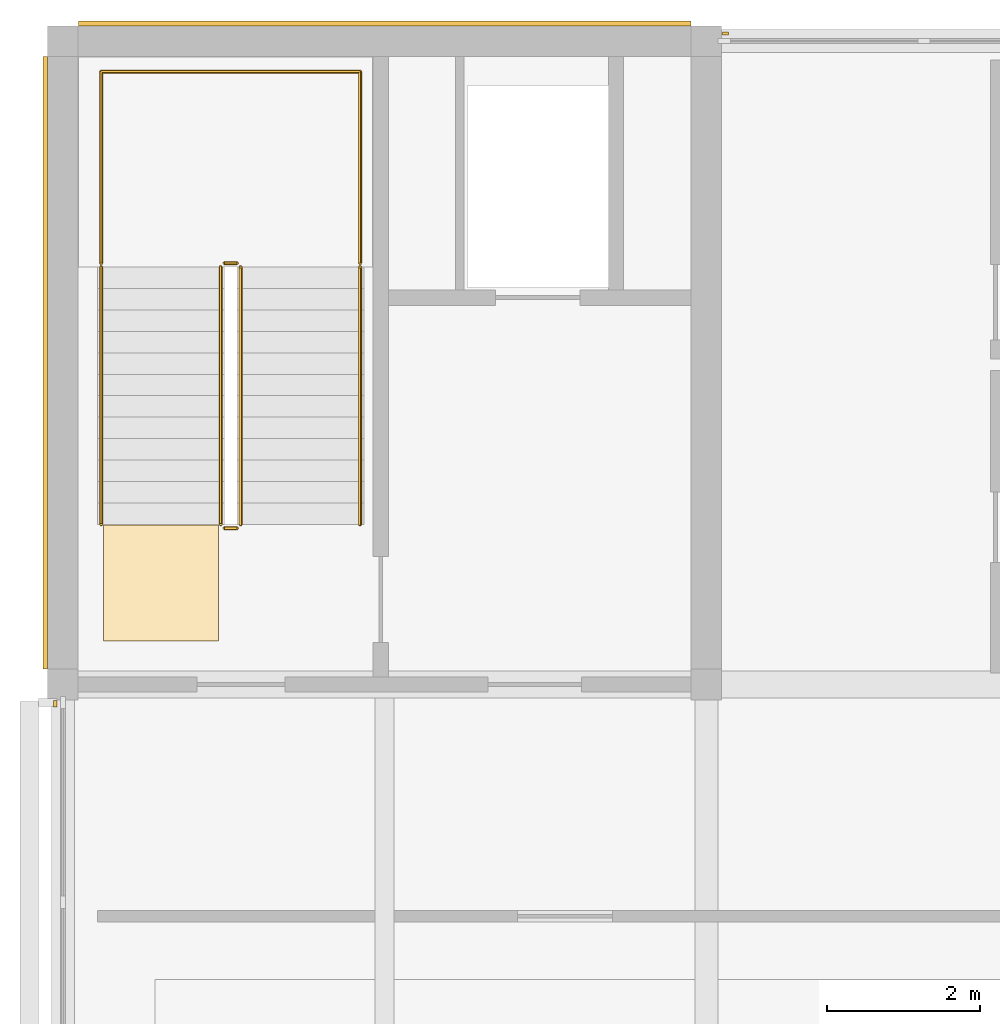
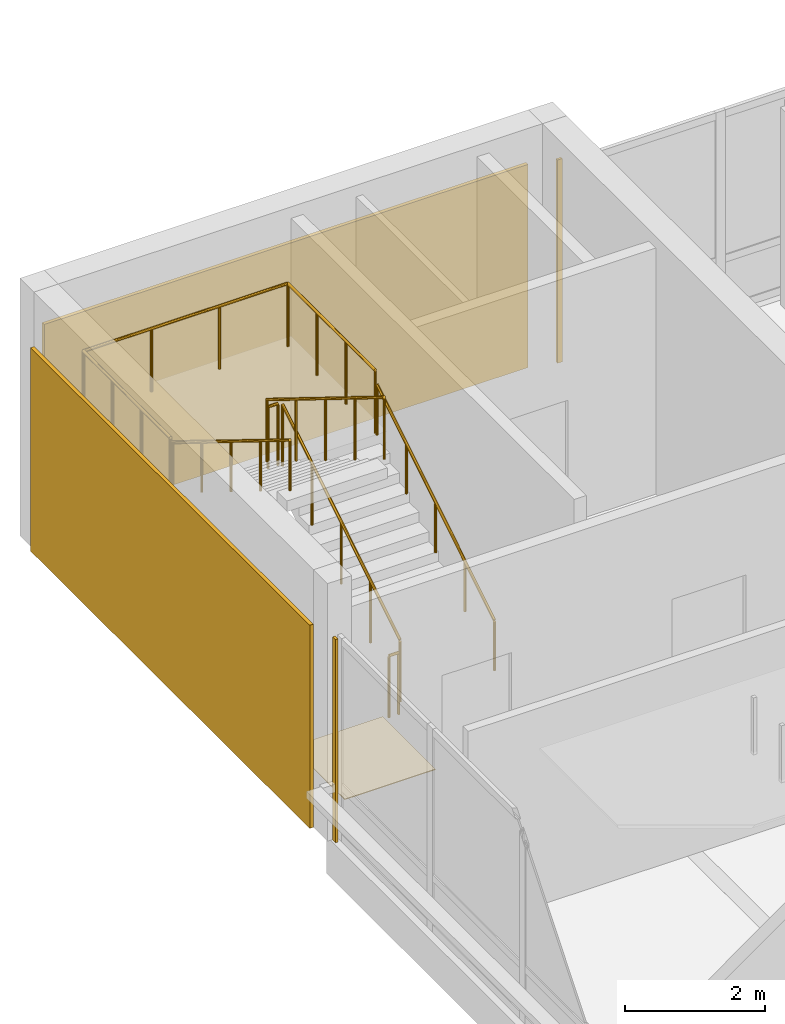
# One storey, part 17 of 20: 7 railings, 5 coverings.
"""IFC4 building model written with IfcOpenShell, lengths in metres."""

import ifcopenshell
import ifcopenshell.guid

model = None  # the IFC model being written
_history = None  # IfcOwnerHistory: only IFC2X3 demands one
_inside = {}  # id of a spatial element -> (the spatial element, [elements in it])
_under = {}  # id of a project, library or spatial element -> (it, [spatial elements below it])
_declared = {}  # id of a project -> (the project, [libraries it declares])
_typed = {}  # id of a type object -> (the type object, [elements of that type])
_made_of = {}  # id of a material, layer set ... -> (it, [elements and type objects made of it])


def new_model(schema):
    """Start an empty IFC model of exactly this schema.

    Asked for "IFC4X3", IfcOpenShell would pick the latest addendum, in which some entities
    have other attributes; the version numbers below select the first issue.
    IFC2X3 requires an IfcOwnerHistory on every rooted entity: one is made here for all.
    """
    global model, _history
    if schema == "IFC4X3":
        model = ifcopenshell.file(schema_version=(4, 3, 0, 0))
    else:
        model = ifcopenshell.file(schema=schema)
    _inside.clear()
    _under.clear()
    _declared.clear()
    _typed.clear()
    _made_of.clear()
    _history = None
    if model.schema == "IFC2X3":
        org = make("IfcOrganization", Name="unknown")
        user = make(
            "IfcPersonAndOrganization",
            ThePerson=make("IfcPerson", FamilyName="unknown"),
            TheOrganization=org,
        )
        app = make(
            "IfcApplication",
            ApplicationDeveloper=org,
            Version="unknown",
            ApplicationFullName="unknown",
            ApplicationIdentifier="unknown",
        )
        _history = make(
            "IfcOwnerHistory",
            OwningUser=user,
            OwningApplication=app,
            ChangeAction="ADDED",
            CreationDate=0,
        )
    return model


def make(cls, **values):
    """One entity of the class cls with the attributes given. An attribute that is None is left unset."""
    return model.create_entity(
        cls, **{name: value for name, value in values.items() if value is not None}
    )


def rooted(cls, **values):
    """An entity with a GlobalId (a new one), such as an element, a storey or a relation."""
    return make(cls, GlobalId=ifcopenshell.guid.new(), OwnerHistory=_history, **values)


def si_unit(unit_type, name, prefix=None):
    """IfcSIUnit, for example si_unit("LENGTHUNIT", "METRE", prefix="MILLI")."""
    return make("IfcSIUnit", UnitType=unit_type, Prefix=prefix, Name=name)


def assignment(units):
    """IfcUnitAssignment: the units of a project."""
    return None if units is None else make("IfcUnitAssignment", Units=units)


def point(xyz):
    """IfcCartesianPoint."""
    return None if xyz is None else make("IfcCartesianPoint", Coordinates=xyz)


def direction(xyz):
    """IfcDirection."""
    return None if xyz is None else make("IfcDirection", DirectionRatios=xyz)


def frame(location, z_axis=None, x_axis=None):
    """IfcAxis2Placement3D, a coordinate frame: its origin and axes. An axis left out is left unset."""
    return make(
        "IfcAxis2Placement3D",
        Location=point(location),
        Axis=direction(z_axis),
        RefDirection=direction(x_axis),
    )


def frame_2d(location, x_axis=None):
    """IfcAxis2Placement2D, a coordinate frame in the plane: its origin and x axis."""
    return make(
        "IfcAxis2Placement2D", Location=point(location), RefDirection=direction(x_axis)
    )


def origin():
    """The frame at (0, 0, 0) with its axes left unset."""
    return frame((0.0, 0.0, 0.0))


def origin_2d():
    """The frame at (0, 0) in the plane with its x axis left unset."""
    return frame_2d((0.0, 0.0))


def place(relative_to, where):
    """IfcLocalPlacement: puts the frame where relative to a parent placement (None: the world)."""
    return make(
        "IfcLocalPlacement", PlacementRelTo=relative_to, RelativePlacement=where
    )


def context(
    kind, dimensions, precision=None, world=None, true_north=None, identifier=None
):
    """IfcGeometricRepresentationContext, for example the 3D "Model" context."""
    return make(
        "IfcGeometricRepresentationContext",
        ContextIdentifier=identifier,
        ContextType=kind,
        CoordinateSpaceDimension=dimensions,
        Precision=precision,
        WorldCoordinateSystem=world,
        TrueNorth=true_north,
    )


def subcontext(parent, identifier, kind, view, scale=None):
    """IfcGeometricRepresentationSubContext, for example "Body" below "Model"."""
    return make(
        "IfcGeometricRepresentationSubContext",
        ContextIdentifier=identifier,
        ContextType=kind,
        ParentContext=parent,
        TargetScale=scale,
        TargetView=view,
    )


def project(units=None, contexts=None):
    """IfcProject with its units and contexts."""
    return rooted(
        "IfcProject",
        Name="project",
        RepresentationContexts=contexts,
        UnitsInContext=assignment(units),
    )


def spatial(cls, under=None, at=None, **own):
    """A site, building, storey or space (cls), placed at a placement, below another one or the project."""
    s = rooted(cls, ObjectPlacement=at, **own)
    if under is not None:
        _under.setdefault(under.id(), (under, []))[1].append(s)
    return s


def polyline(points):
    """IfcPolyline through the points."""
    return make("IfcPolyline", Points=[point(p) for p in points])


def profile(cls, at=None, kind="AREA", **sizes):
    """A parametric profile (cls). Its sizes go by their IFC names, for example OverallWidth=200.0."""
    return make(cls, ProfileType=kind, Position=at, **sizes)


def rectangle(**sizes):
    """IfcRectangleProfileDef."""
    return profile("IfcRectangleProfileDef", **sizes)


def circle(**sizes):
    """IfcCircleProfileDef."""
    return profile("IfcCircleProfileDef", **sizes)


def outline(outer, holes=None, kind="AREA"):
    """IfcArbitraryClosedProfileDef: a profile drawn as a closed curve; with holes, ...WithVoids."""
    if holes is None:
        return make("IfcArbitraryClosedProfileDef", ProfileType=kind, OuterCurve=outer)
    return make(
        "IfcArbitraryProfileDefWithVoids",
        ProfileType=kind,
        OuterCurve=outer,
        InnerCurves=holes,
    )


def extrude(swept, where, along, depth):
    """IfcExtrudedAreaSolid: the profile swept, set in the frame where, extruded along a direction by depth."""
    return make(
        "IfcExtrudedAreaSolid",
        SweptArea=swept,
        Position=where,
        ExtrudedDirection=direction(along),
        Depth=depth,
    )


def shape(context_of_items, identifier, shape_type, items):
    """IfcShapeRepresentation: the items that make up one representation, for example the "Body"."""
    return make(
        "IfcShapeRepresentation",
        ContextOfItems=context_of_items,
        RepresentationIdentifier=identifier,
        RepresentationType=shape_type,
        Items=items,
    )


def material(Name=None, Category=None):
    """IfcMaterial."""
    return make("IfcMaterial", Name=Name, Category=Category)


def layer(
    of_material, thickness, ventilated=None, Name=None, Category=None, Priority=None
):
    """IfcMaterialLayer: one layer of a wall or slab, of a material (None: an air gap)."""
    return make(
        "IfcMaterialLayer",
        Material=of_material,
        LayerThickness=thickness,
        IsVentilated=ventilated,
        Name=Name,
        Category=Category,
        Priority=Priority,
    )


def layer_set(layers, Name=None):
    """IfcMaterialLayerSet."""
    return make("IfcMaterialLayerSet", MaterialLayers=layers, LayerSetName=Name)


def made_of(thing, what):
    """Note that an element or type object is made of a material, layer set ...; save() writes the relation."""
    if what is not None:
        _made_of.setdefault(what.id(), (what, []))[1].append(thing)
    return thing


def type_object(cls, material=None, **own):
    """A type object (cls), such as IfcWallType, which elements share."""
    return made_of(rooted(cls, **own), material)


def element(
    cls,
    number,
    at=None,
    inside=None,
    cuts=None,
    type_object=None,
    material=None,
    context=None,
    identifier="Body",
    shape_type=None,
    held_by="IfcProductDefinitionShape",
    body=None,
    shapes=None,
    **own,
):
    """One element of the class cls, such as IfcWall. Its Tag is "e" and its number.

    at: its placement. inside: the storey or other place that contains it. cuts: it is an
    opening in that element (IfcRelVoidsElement). A single representation is given by context,
    identifier, shape_type and body (its items); several are given by shapes. held_by: the class
    of the entity that holds the representations. save() writes the other relations.
    """
    e = rooted(cls, Tag="e%d" % number, ObjectPlacement=at, **own)
    if body is not None:
        shapes = [shape(context, identifier, shape_type, body)]
    if shapes is not None:
        e.Representation = make(held_by, Representations=shapes)
    if inside is not None:
        _inside.setdefault(inside.id(), (inside, []))[1].append(e)
    if cuts is not None:
        rooted(
            "IfcRelVoidsElement", RelatingBuildingElement=cuts, RelatedOpeningElement=e
        )
    if type_object is not None:
        _typed.setdefault(type_object.id(), (type_object, []))[1].append(e)
    return made_of(e, material)


def aggregate(whole, parts):
    """IfcRelAggregates: a whole, such as a stair, and the parts it consists of."""
    return rooted("IfcRelAggregates", RelatingObject=whole, RelatedObjects=parts)


def save(model, path):
    """Write the relations noted so far, then the file.

    IfcRelAggregates (storeys below a building ...), IfcRelContainedInSpatialStructure (elements
    in a storey), IfcRelDefinesByType, IfcRelAssociatesMaterial and IfcRelDeclares: one each for
    every whole, place, type object, material and project.
    """
    for whole, parts in _under.values():
        aggregate(whole, parts)
    for where, things in _inside.values():
        rooted(
            "IfcRelContainedInSpatialStructure",
            RelatedElements=things,
            RelatingStructure=where,
        )
    for kind, things in _typed.values():
        rooted("IfcRelDefinesByType", RelatedObjects=things, RelatingType=kind)
    for what, things in _made_of.values():
        rooted("IfcRelAssociatesMaterial", RelatedObjects=things, RelatingMaterial=what)
    for by, libraries in _declared.values():
        rooted("IfcRelDeclares", RelatingContext=by, RelatedDefinitions=libraries)
    model.write(path)


model = new_model("IFC4")

# Units and contexts
model_context = context("Model", 3, precision=1e-05, world=origin(), true_north=direction((0.0, 1.0)))
body_context = subcontext(model_context, "Body", "Model", "MODEL_VIEW")
ifc_project = project(units=[si_unit("LENGTHUNIT", "METRE"), si_unit("AREAUNIT", "SQUARE_METRE"), si_unit("VOLUMEUNIT", "CUBIC_METRE"), si_unit("PLANEANGLEUNIT", "RADIAN"), si_unit("MASSUNIT", "GRAM", prefix="KILO")], contexts=[model_context])

# Site, building, storey
site_placement = place(None, origin())
site = spatial("IfcSite", under=ifc_project, at=site_placement, CompositionType="ELEMENT")
building_placement = place(site_placement, origin())
building = spatial("IfcBuilding", under=site, at=building_placement, Name="Telukmera Botanical Conservatory", CompositionType="ELEMENT")
storey_placement = place(building_placement, frame((0.0, 0.0, 69.0)))
storey = spatial("IfcBuildingStorey", under=building, at=storey_placement, Name="L15", CompositionType="ELEMENT", Elevation=69.0)

# Coverings
ifc_material_1 = material(Name="Honed granite non-slip flooring", Category="masonry")
ifc_layer_1 = layer(ifc_material_1, 0.011962890625)
ifc_layer_set_1 = layer_set([ifc_layer_1], Name="Honed granite non-slip flooring")
covering_type_1 = type_object("IfcCoveringType", Name="COV-FLR-12", PredefinedType="FLOORING", material=ifc_layer_set_1)
covering_placement = place(storey_placement, origin())
element("IfcCovering", 1, at=covering_placement, inside=storey, type_object=covering_type_1, Name="L15 ST1 Non-Slip Stair Landing Finish", PredefinedType="FLOORING", context=body_context, shape_type="SweptSolid", body=[
    extrude(outline(polyline([(60.830078125, 26.570068359375), (60.830078125, 28.0849609375), (59.330078125, 28.0849609375), (59.330078125, 26.570068359375), (60.830078125, 26.570068359375)])), origin(), (0.0, 0.0, 1.0), 0.011962890625),
])
ifc_material_2 = material(Name="Granite-faced precast concrete C40/50", Category="masonry")
ifc_layer_2 = layer(ifc_material_2, 0.0400390625)
ifc_layer_set_2 = layer_set([ifc_layer_2], Name="Granite-faced precast concrete C40/50")
covering_type_2 = type_object("IfcCoveringType", Name="Granite Precast Column Pier Reveal Casing", PredefinedType="CLADDING", material=ifc_layer_set_2)
for number, where, z_axis, x_axis, name in (
    (2, (67.451904296875, 34.5, 0.0), (0.0, 0.0, 1.0), (1.0, 0.0, 0.0), "Granite Pier Reveal V4:L15:N2 L"),
    (3, (58.699951171875, 25.748046875, 0.0), (0.0, 0.0, 1.0), (0.0, 1.0, 0.0), "Granite Pier Reveal V4:L15:W2 R"),
):
    element("IfcCovering", number, at=place(storey_placement, frame(where, z_axis=z_axis, x_axis=x_axis)), inside=storey, type_object=covering_type_2, Name=name, PredefinedType="CLADDING", context=body_context, shape_type="SweptSolid", body=[
        extrude(rectangle(XDim=0.080078125, YDim=0.0400390625, at=origin_2d()), origin(), (0.0, 0.0, 1.0), 3.550048828125),
    ])

# Railings
ifc_material_3 = material(Name="Steel S355", Category="steel")
railing_type_1 = type_object("IfcRailingType", Name="RL-GUARD-1100", PredefinedType="GUARDRAIL", material=ifc_material_3)
railing_1_placement = place(storey_placement, frame((61.1201171875, 28.090087890625, 0.173095703125)))
element("IfcRailing", 4, at=railing_1_placement, inside=storey, type_object=railing_type_1, Name="L15 ST1 stair guard 1", PredefinedType="GUARDRAIL", context=body_context, shape_type="SweptSolid", body=[
    extrude(circle(Radius=0.02392578125, at=origin_2d()), frame((0.0, 0.0, 1.076171875), z_axis=(0.0, 0.850606129759, 0.525803396734), x_axis=(-1.0, 0.0, 0.0)), (0.0, 0.0, 1.0), 3.949951171875),
    extrude(circle(Radius=0.02099609375, at=origin_2d()), origin(), (0.0, 0.0, 1.0), 1.052001953125),
    extrude(circle(Radius=0.02099609375, at=origin_2d()), frame((0.0, 0.83984375, 0.519287109375)), (0.0, 0.0, 1.0), 1.052001953125),
    extrude(circle(Radius=0.02099609375, at=origin_2d()), frame((0.0, 1.679931640625, 1.03857421875)), (0.0, 0.0, 1.0), 1.052001953125),
    extrude(circle(Radius=0.02099609375, at=origin_2d()), frame((0.0, 2.52001953125, 1.5576171875)), (0.0, 0.0, 1.0), 1.052001953125),
    extrude(circle(Radius=0.02099609375, at=origin_2d()), frame((0.0, 3.35986328125, 2.076904296875)), (0.0, 0.0, 1.0), 1.052001953125),
])
railing_2_placement = place(storey_placement, frame((61.070068359375, 31.5, 2.25)))
element("IfcRailing", 5, at=railing_2_placement, inside=storey, type_object=railing_type_1, Name="L15 ST1 stair guard 2", PredefinedType="GUARDRAIL", context=body_context, shape_type="SweptSolid", body=[
    extrude(circle(Radius=0.02392578125, at=origin_2d()), frame((0.0, 0.0, 1.076171875), z_axis=(-1.0, 0.0, 0.0), x_axis=(0.0, -1.0, 0.0)), (0.0, 0.0, 1.0), 0.16015625),
    extrude(circle(Radius=0.02099609375, at=origin_2d()), origin(), (0.0, 0.0, 1.0), 1.052001953125),
    extrude(circle(Radius=0.02099609375, at=origin_2d()), frame((-0.16015625, 0.0, 0.0)), (0.0, 0.0, 1.0), 1.052001953125),
])
railing_3_placement = place(storey_placement, frame((60.860107421875, 31.449951171875, 2.423095703125)))
element("IfcRailing", 6, at=railing_3_placement, inside=storey, type_object=railing_type_1, Name="L15 ST1 stair guard 3", PredefinedType="GUARDRAIL", context=body_context, shape_type="SweptSolid", body=[
    extrude(circle(Radius=0.02392578125, at=origin_2d()), frame((0.0, 0.0, 1.076171875), z_axis=(0.0, -0.850606129759, 0.525803396734), x_axis=(1.0, 0.0, 0.0)), (0.0, 0.0, 1.0), 3.949951171875),
    extrude(circle(Radius=0.02099609375, at=origin_2d()), origin(), (0.0, 0.0, 1.0), 1.052001953125),
    extrude(circle(Radius=0.02099609375, at=origin_2d()), frame((0.0, -0.83984375, 0.519287109375)), (0.0, 0.0, 1.0), 1.052001953125),
    extrude(circle(Radius=0.02099609375, at=origin_2d()), frame((0.0, -1.679931640625, 1.03857421875)), (0.0, 0.0, 1.0), 1.052001953125),
    extrude(circle(Radius=0.02099609375, at=origin_2d()), frame((0.0, -2.52001953125, 1.5576171875)), (0.0, 0.0, 1.0), 1.052001953125),
    extrude(circle(Radius=0.02099609375, at=origin_2d()), frame((0.0, -3.35986328125, 2.076904296875)), (0.0, 0.0, 1.0), 1.052001953125),
])
railing_4_placement = place(storey_placement, frame((61.070068359375, 28.0400390625, 0.0)))
element("IfcRailing", 7, at=railing_4_placement, inside=storey, type_object=railing_type_1, Name="L15 ST1 stair guard 4", PredefinedType="GUARDRAIL", context=body_context, shape_type="SweptSolid", body=[
    extrude(circle(Radius=0.02392578125, at=origin_2d()), frame((0.0, 0.0, 1.076171875), z_axis=(-1.0, 0.0, 0.0), x_axis=(0.0, -1.0, 0.0)), (0.0, 0.0, 1.0), 0.16015625),
    extrude(circle(Radius=0.02099609375, at=origin_2d()), origin(), (0.0, 0.0, 1.0), 1.052001953125),
    extrude(circle(Radius=0.02099609375, at=origin_2d()), frame((-0.16015625, 0.0, 0.0)), (0.0, 0.0, 1.0), 1.052001953125),
])
railing_5_placement = place(storey_placement, frame((62.679931640625, 31.5, 2.25)))
element("IfcRailing", 8, at=railing_5_placement, inside=storey, type_object=railing_type_1, Name="L15 ST1 half-landing perimeter guard 1", PredefinedType="GUARDRAIL", context=body_context, shape_type="SweptSolid", body=[
    extrude(circle(Radius=0.02392578125, at=origin_2d()), frame((0.0, 0.0, 1.09619140625), z_axis=(0.0, 1.0, 0.0), x_axis=(-1.0, 0.0, 0.0)), (0.0, 0.0, 1.0), 2.5),
    extrude(circle(Radius=0.02392578125, at=origin_2d()), frame((0.0, 2.5, 1.09619140625), z_axis=(-1.0, 0.0, 0.0), x_axis=(0.0, -1.0, 0.0)), (0.0, 0.0, 1.0), 3.3798828125),
    extrude(circle(Radius=0.02392578125, at=origin_2d()), frame((-3.3798828125, 2.5, 1.09619140625), z_axis=(0.0, -1.0, 0.0), x_axis=(1.0, 0.0, 0.0)), (0.0, 0.0, 1.0), 2.5),
    extrude(circle(Radius=0.02099609375, at=origin_2d()), origin(), (0.0, 0.0, 1.0), 1.072021484375),
    extrude(circle(Radius=0.02099609375, at=origin_2d()), frame((0.0, 0.833251953125, 0.0)), (0.0, 0.0, 1.0), 1.072021484375),
    extrude(circle(Radius=0.02099609375, at=origin_2d()), frame((0.0, 1.666748046875, 0.0)), (0.0, 0.0, 1.0), 1.072021484375),
    extrude(circle(Radius=0.02099609375, at=origin_2d()), frame((0.0, 2.5, 0.0)), (0.0, 0.0, 1.0), 1.072021484375),
    extrude(circle(Radius=0.02099609375, at=origin_2d()), frame((-1.126708984375, 2.5, 0.0)), (0.0, 0.0, 1.0), 1.072021484375),
    extrude(circle(Radius=0.02099609375, at=origin_2d()), frame((-2.253173828125, 2.5, 0.0)), (0.0, 0.0, 1.0), 1.072021484375),
    extrude(circle(Radius=0.02099609375, at=origin_2d()), frame((-3.3798828125, 2.5, 0.0)), (0.0, 0.0, 1.0), 1.072021484375),
    extrude(circle(Radius=0.02099609375, at=origin_2d()), frame((-3.3798828125, 1.666748046875, 0.0)), (0.0, 0.0, 1.0), 1.072021484375),
    extrude(circle(Radius=0.02099609375, at=origin_2d()), frame((-3.3798828125, 0.833251953125, 0.0)), (0.0, 0.0, 1.0), 1.072021484375),
    extrude(circle(Radius=0.02099609375, at=origin_2d()), frame((-3.3798828125, 0.0, 0.0)), (0.0, 0.0, 1.0), 1.072021484375),
])
ifc_material_4 = material(Name="Stainless steel 316", Category="steel")
railing_type_2 = type_object("IfcRailingType", Name="RL-HAND-900", PredefinedType="HANDRAIL", material=ifc_material_4)
railing_6_placement = place(storey_placement, frame((62.679931640625, 28.090087890625, 0.173095703125)))
element("IfcRailing", 9, at=railing_6_placement, inside=storey, type_object=railing_type_2, Name="L15 ST1 stair handrail 1", PredefinedType="HANDRAIL", context=body_context, shape_type="SweptSolid", body=[
    extrude(circle(Radius=0.02392578125, at=origin_2d()), frame((0.0, 0.0, 0.8759765625), z_axis=(0.0, 0.850606129759, 0.525803396734), x_axis=(-1.0, 0.0, 0.0)), (0.0, 0.0, 1.0), 3.949951171875),
    extrude(circle(Radius=0.02099609375, at=origin_2d()), origin(), (0.0, 0.0, 1.0), 0.851806640625),
    extrude(circle(Radius=0.02099609375, at=origin_2d()), frame((0.0, 0.83984375, 0.519287109375)), (0.0, 0.0, 1.0), 0.851806640625),
    extrude(circle(Radius=0.02099609375, at=origin_2d()), frame((0.0, 1.679931640625, 1.03857421875)), (0.0, 0.0, 1.0), 0.851806640625),
    extrude(circle(Radius=0.02099609375, at=origin_2d()), frame((0.0, 2.52001953125, 1.5576171875)), (0.0, 0.0, 1.0), 0.851806640625),
    extrude(circle(Radius=0.02099609375, at=origin_2d()), frame((0.0, 3.35986328125, 2.076904296875)), (0.0, 0.0, 1.0), 0.851806640625),
])
railing_7_placement = place(storey_placement, frame((59.300048828125, 31.449951171875, 2.423095703125)))
element("IfcRailing", 10, at=railing_7_placement, inside=storey, type_object=railing_type_2, Name="L15 ST1 stair handrail 2", PredefinedType="HANDRAIL", context=body_context, shape_type="SweptSolid", body=[
    extrude(circle(Radius=0.02392578125, at=origin_2d()), frame((0.0, 0.0, 0.8759765625), z_axis=(0.0, -0.850606129759, 0.525803396734), x_axis=(1.0, 0.0, 0.0)), (0.0, 0.0, 1.0), 3.949951171875),
    extrude(circle(Radius=0.02099609375, at=origin_2d()), origin(), (0.0, 0.0, 1.0), 0.851806640625),
    extrude(circle(Radius=0.02099609375, at=origin_2d()), frame((0.0, -0.83984375, 0.519287109375)), (0.0, 0.0, 1.0), 0.851806640625),
    extrude(circle(Radius=0.02099609375, at=origin_2d()), frame((0.0, -1.679931640625, 1.03857421875)), (0.0, 0.0, 1.0), 0.851806640625),
    extrude(circle(Radius=0.02099609375, at=origin_2d()), frame((0.0, -2.52001953125, 1.5576171875)), (0.0, 0.0, 1.0), 0.851806640625),
    extrude(circle(Radius=0.02099609375, at=origin_2d()), frame((0.0, -3.35986328125, 2.076904296875)), (0.0, 0.0, 1.0), 0.851806640625),
])

# Coverings
ifc_material_5 = material(Name="Terracotta-faced precast concrete C40/50", Category="masonry")
ifc_layer_3 = layer(ifc_material_5, 0.06005859375)
ifc_layer_set_3 = layer_set([ifc_layer_3], Name="Terracotta-faced precast concrete C40/50")
covering_type_3 = type_object("IfcCoveringType", Name="Terracotta Core Perimeter Cladding Panel", PredefinedType="CLADDING", material=ifc_layer_set_3)
for number, where, z_axis, x_axis, name in (
    (11, (63.0, 34.6298828125, 0.0), (0.0, 0.0, 1.0), (1.0, 0.0, 0.0), "Core Perimeter Terracotta Cladding V4:L15:N1"),
    (12, (58.570068359375, 30.199951171875, 0.0), (0.0, 0.0, 1.0), (0.0, 1.0, 0.0), "Core Perimeter Terracotta Cladding V4:L15:W3"),
):
    element("IfcCovering", number, at=place(storey_placement, frame(where, z_axis=z_axis, x_axis=x_axis)), inside=storey, type_object=covering_type_3, Name=name, PredefinedType="CLADDING", context=body_context, shape_type="SweptSolid", body=[
        extrude(rectangle(XDim=7.99609375, YDim=0.06005859375, at=origin_2d()), origin(), (0.0, 0.0, 1.0), 3.550048828125),
    ])

save(model, "model.ifc")
